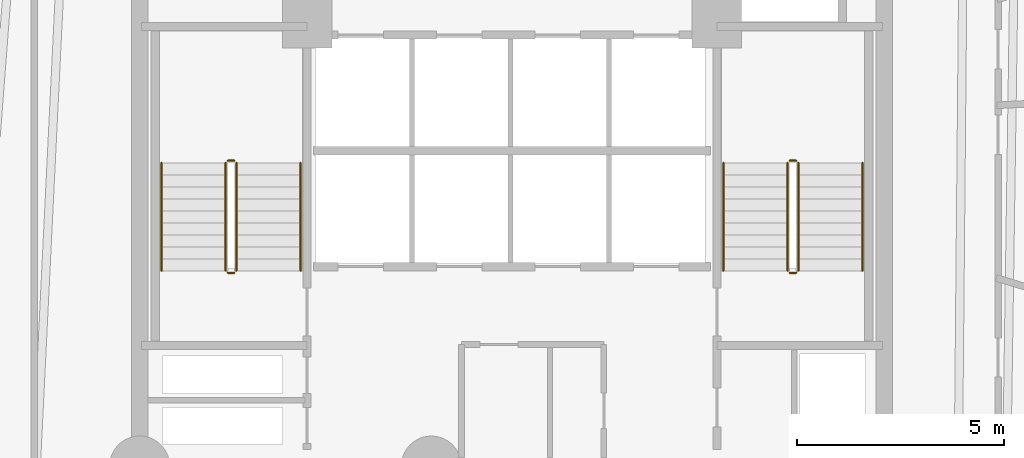
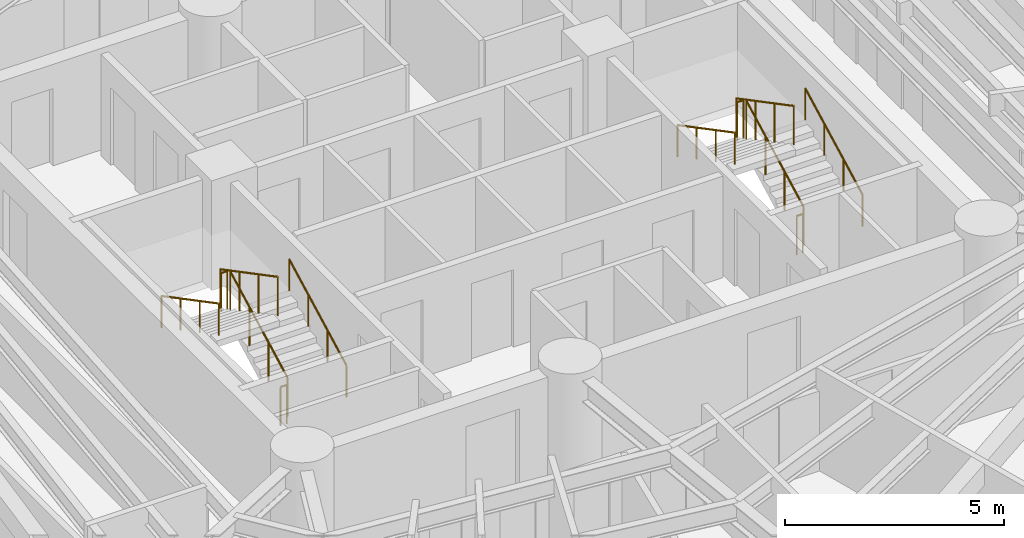
# One storey, part 8 of 8: 12 railings.
"""IFC4 building model written with IfcOpenShell, lengths in metres."""

from ifc_helpers import new_model, si_unit, direction, frame, origin, origin_2d, place, context, subcontext, project, spatial, circle, extrude, material, layer, layer_set, type_object, element, save


model = new_model("IFC4")

# Units and contexts
model_context = context("Model", 3, precision=1e-05, world=origin(), true_north=direction((0.0, 1.0)))
body_context = subcontext(model_context, "Body", "Model", "MODEL_VIEW")
ifc_project = project(units=[si_unit("LENGTHUNIT", "METRE"), si_unit("AREAUNIT", "SQUARE_METRE"), si_unit("VOLUMEUNIT", "CUBIC_METRE"), si_unit("PLANEANGLEUNIT", "RADIAN"), si_unit("MASSUNIT", "GRAM", prefix="KILO")], contexts=[model_context])

# Site, building, storey
site_placement = place(None, origin())
site = spatial("IfcSite", under=ifc_project, at=site_placement, CompositionType="ELEMENT")
building_placement = place(site_placement, origin())
building = spatial("IfcBuilding", under=site, at=building_placement, Name="Karkom Vertical University and Central Library", CompositionType="ELEMENT")
storey_placement = place(building_placement, frame((0.0, 0.0, 102.300048828125)))
storey = spatial("IfcBuildingStorey", under=building, at=storey_placement, Name="L27", CompositionType="ELEMENT", Elevation=102.300048828125)

# Railings
ifc_material_1 = material(Name="Painted galvanised steel balustrade", Category="steel")
ifc_layer_1 = layer(ifc_material_1, 0.06005859375)
ifc_layer_set_1 = layer_set([ifc_layer_1], Name="Painted galvanised steel balustrade")
railing_type_1 = type_object("IfcRailingType", Name="INT-RL-GUARD1100", PredefinedType="GUARDRAIL", material=ifc_layer_set_1)
railing_1_placement = place(storey_placement, frame((21.840087890625, 23.02001953125, 0.15234375)))
element("IfcRailing", 1, at=railing_1_placement, inside=storey, type_object=railing_type_1, Name="Level 27 ST-1 stair guard 1", PredefinedType="GUARDRAIL", context=body_context, shape_type="SweptSolid", body=[
    extrude(circle(Radius=0.02392578125, at=origin_2d()), frame((0.0, 0.0, 1.076171875), z_axis=(0.0, 0.885065446896, 0.46546659892), x_axis=(-1.0, 0.0, 0.0)), (0.0, 0.0, 1.0), 2.94873046875),
    extrude(circle(Radius=0.02099609375, at=origin_2d()), origin(), (0.0, 0.0, 1.0), 1.052001953125),
    extrude(circle(Radius=0.02099609375, at=origin_2d()), frame((0.0, 0.869873046875, 0.45751953125)), (0.0, 0.0, 1.0), 1.052001953125),
    extrude(circle(Radius=0.02099609375, at=origin_2d()), frame((0.0, 1.739990234375, 0.9150390625)), (0.0, 0.0, 1.0), 1.052001953125),
    extrude(circle(Radius=0.02099609375, at=origin_2d()), frame((0.0, 2.60986328125, 1.37255859375)), (0.0, 0.0, 1.0), 1.052001953125),
])
railing_2_placement = place(storey_placement, frame((21.7900390625, 25.679931640625, 1.52490234375)))
element("IfcRailing", 2, at=railing_2_placement, inside=storey, type_object=railing_type_1, Name="Level 27 ST-1 stair guard 2", PredefinedType="GUARDRAIL", context=body_context, shape_type="SweptSolid", body=[
    extrude(circle(Radius=0.02392578125, at=origin_2d()), frame((0.0, 0.0, 1.076171875), z_axis=(-1.0, 0.0, 0.0), x_axis=(0.0, -1.0, 0.0)), (0.0, 0.0, 1.0), 0.16015625),
    extrude(circle(Radius=0.02099609375, at=origin_2d()), origin(), (0.0, 0.0, 1.0), 1.052001953125),
    extrude(circle(Radius=0.02099609375, at=origin_2d()), frame((-0.16015625, 0.0, 0.0)), (0.0, 0.0, 1.0), 1.052001953125),
])
railing_3_placement = place(storey_placement, frame((21.580078125, 25.6298828125, 1.677490234375)))
element("IfcRailing", 3, at=railing_3_placement, inside=storey, type_object=railing_type_1, Name="Level 27 ST-1 stair guard 3", PredefinedType="GUARDRAIL", context=body_context, shape_type="SweptSolid", body=[
    extrude(circle(Radius=0.02392578125, at=origin_2d()), frame((0.0, 0.0, 1.076171875), z_axis=(0.0, -0.885065446896, 0.46546659892), x_axis=(1.0, 0.0, 0.0)), (0.0, 0.0, 1.0), 2.94873046875),
    extrude(circle(Radius=0.02099609375, at=origin_2d()), origin(), (0.0, 0.0, 1.0), 1.052001953125),
    extrude(circle(Radius=0.02099609375, at=origin_2d()), frame((0.0, -0.869873046875, 0.45751953125)), (0.0, 0.0, 1.0), 1.052001953125),
    extrude(circle(Radius=0.02099609375, at=origin_2d()), frame((0.0, -1.739990234375, 0.9150390625)), (0.0, 0.0, 1.0), 1.052001953125),
    extrude(circle(Radius=0.02099609375, at=origin_2d()), frame((0.0, -2.60986328125, 1.37255859375)), (0.0, 0.0, 1.0), 1.052001953125),
])
railing_4_placement = place(storey_placement, frame((21.7900390625, 22.969970703125, 0.0)))
element("IfcRailing", 4, at=railing_4_placement, inside=storey, type_object=railing_type_1, Name="Level 27 ST-1 stair guard 4", PredefinedType="GUARDRAIL", context=body_context, shape_type="SweptSolid", body=[
    extrude(circle(Radius=0.02392578125, at=origin_2d()), frame((0.0, 0.0, 1.076171875), z_axis=(-1.0, 0.0, 0.0), x_axis=(0.0, -1.0, 0.0)), (0.0, 0.0, 1.0), 0.16015625),
    extrude(circle(Radius=0.02099609375, at=origin_2d()), origin(), (0.0, 0.0, 1.0), 1.052001953125),
    extrude(circle(Radius=0.02099609375, at=origin_2d()), frame((-0.16015625, 0.0, 0.0)), (0.0, 0.0, 1.0), 1.052001953125),
])
railing_5_placement = place(storey_placement, frame((35.419921875, 23.02001953125, 0.15234375)))
element("IfcRailing", 5, at=railing_5_placement, inside=storey, type_object=railing_type_1, Name="Level 27 ST-2 stair guard 1", PredefinedType="GUARDRAIL", context=body_context, shape_type="SweptSolid", body=[
    extrude(circle(Radius=0.02392578125, at=origin_2d()), frame((0.0, 0.0, 1.076171875), z_axis=(0.0, 0.885065446896, 0.46546659892), x_axis=(-1.0, 0.0, 0.0)), (0.0, 0.0, 1.0), 2.94873046875),
    extrude(circle(Radius=0.02099609375, at=origin_2d()), origin(), (0.0, 0.0, 1.0), 1.052001953125),
    extrude(circle(Radius=0.02099609375, at=origin_2d()), frame((0.0, 0.869873046875, 0.45751953125)), (0.0, 0.0, 1.0), 1.052001953125),
    extrude(circle(Radius=0.02099609375, at=origin_2d()), frame((0.0, 1.739990234375, 0.9150390625)), (0.0, 0.0, 1.0), 1.052001953125),
    extrude(circle(Radius=0.02099609375, at=origin_2d()), frame((0.0, 2.60986328125, 1.37255859375)), (0.0, 0.0, 1.0), 1.052001953125),
])
railing_6_placement = place(storey_placement, frame((35.3701171875, 25.679931640625, 1.52490234375)))
element("IfcRailing", 6, at=railing_6_placement, inside=storey, type_object=railing_type_1, Name="Level 27 ST-2 stair guard 2", PredefinedType="GUARDRAIL", context=body_context, shape_type="SweptSolid", body=[
    extrude(circle(Radius=0.02392578125, at=origin_2d()), frame((0.0, 0.0, 1.076171875), z_axis=(-1.0, 0.0, 0.0), x_axis=(0.0, -1.0, 0.0)), (0.0, 0.0, 1.0), 0.16015625),
    extrude(circle(Radius=0.02099609375, at=origin_2d()), origin(), (0.0, 0.0, 1.0), 1.052001953125),
    extrude(circle(Radius=0.02099609375, at=origin_2d()), frame((-0.16015625, 0.0, 0.0)), (0.0, 0.0, 1.0), 1.052001953125),
])
railing_7_placement = place(storey_placement, frame((35.159912109375, 25.6298828125, 1.677490234375)))
element("IfcRailing", 7, at=railing_7_placement, inside=storey, type_object=railing_type_1, Name="Level 27 ST-2 stair guard 3", PredefinedType="GUARDRAIL", context=body_context, shape_type="SweptSolid", body=[
    extrude(circle(Radius=0.02392578125, at=origin_2d()), frame((0.0, 0.0, 1.076171875), z_axis=(0.0, -0.885065446896, 0.46546659892), x_axis=(1.0, 0.0, 0.0)), (0.0, 0.0, 1.0), 2.94873046875),
    extrude(circle(Radius=0.02099609375, at=origin_2d()), origin(), (0.0, 0.0, 1.0), 1.052001953125),
    extrude(circle(Radius=0.02099609375, at=origin_2d()), frame((0.0, -0.869873046875, 0.45751953125)), (0.0, 0.0, 1.0), 1.052001953125),
    extrude(circle(Radius=0.02099609375, at=origin_2d()), frame((0.0, -1.739990234375, 0.9150390625)), (0.0, 0.0, 1.0), 1.052001953125),
    extrude(circle(Radius=0.02099609375, at=origin_2d()), frame((0.0, -2.60986328125, 1.37255859375)), (0.0, 0.0, 1.0), 1.052001953125),
])
railing_8_placement = place(storey_placement, frame((35.3701171875, 22.969970703125, 0.0)))
element("IfcRailing", 8, at=railing_8_placement, inside=storey, type_object=railing_type_1, Name="Level 27 ST-2 stair guard 4", PredefinedType="GUARDRAIL", context=body_context, shape_type="SweptSolid", body=[
    extrude(circle(Radius=0.02392578125, at=origin_2d()), frame((0.0, 0.0, 1.076171875), z_axis=(-1.0, 0.0, 0.0), x_axis=(0.0, -1.0, 0.0)), (0.0, 0.0, 1.0), 0.16015625),
    extrude(circle(Radius=0.02099609375, at=origin_2d()), origin(), (0.0, 0.0, 1.0), 1.052001953125),
    extrude(circle(Radius=0.02099609375, at=origin_2d()), frame((-0.16015625, 0.0, 0.0)), (0.0, 0.0, 1.0), 1.052001953125),
])
ifc_material_2 = material(Name="Brushed stainless-steel tubular handrail", Category="steel")
ifc_layer_2 = layer(ifc_material_2, 0.048095703125)
ifc_layer_set_2 = layer_set([ifc_layer_2], Name="Brushed stainless-steel tubular handrail")
railing_type_2 = type_object("IfcRailingType", Name="INT-RL-HAND920", PredefinedType="HANDRAIL", material=ifc_layer_set_2)
railing_9_placement = place(storey_placement, frame((23.389892578125, 23.02001953125, 0.15234375)))
element("IfcRailing", 9, at=railing_9_placement, inside=storey, type_object=railing_type_2, Name="Level 27 ST-1 stair handrail 1", PredefinedType="HANDRAIL", context=body_context, shape_type="SweptSolid", body=[
    extrude(circle(Radius=0.02392578125, at=origin_2d()), frame((0.0, 0.0, 0.8759765625), z_axis=(0.0, 0.885065446896, 0.46546659892), x_axis=(-1.0, 0.0, 0.0)), (0.0, 0.0, 1.0), 2.94873046875),
    extrude(circle(Radius=0.02099609375, at=origin_2d()), origin(), (0.0, 0.0, 1.0), 0.851806640625),
    extrude(circle(Radius=0.02099609375, at=origin_2d()), frame((0.0, 0.869873046875, 0.45751953125)), (0.0, 0.0, 1.0), 0.851806640625),
    extrude(circle(Radius=0.02099609375, at=origin_2d()), frame((0.0, 1.739990234375, 0.9150390625)), (0.0, 0.0, 1.0), 0.851806640625),
    extrude(circle(Radius=0.02099609375, at=origin_2d()), frame((0.0, 2.60986328125, 1.37255859375)), (0.0, 0.0, 1.0), 0.851806640625),
])
railing_10_placement = place(storey_placement, frame((20.030029296875, 25.6298828125, 1.677490234375)))
element("IfcRailing", 10, at=railing_10_placement, inside=storey, type_object=railing_type_2, Name="Level 27 ST-1 stair handrail 2", PredefinedType="HANDRAIL", context=body_context, shape_type="SweptSolid", body=[
    extrude(circle(Radius=0.02392578125, at=origin_2d()), frame((0.0, 0.0, 0.8759765625), z_axis=(0.0, -0.885065446896, 0.46546659892), x_axis=(1.0, 0.0, 0.0)), (0.0, 0.0, 1.0), 2.94873046875),
    extrude(circle(Radius=0.02099609375, at=origin_2d()), origin(), (0.0, 0.0, 1.0), 0.851806640625),
    extrude(circle(Radius=0.02099609375, at=origin_2d()), frame((0.0, -0.869873046875, 0.45751953125)), (0.0, 0.0, 1.0), 0.851806640625),
    extrude(circle(Radius=0.02099609375, at=origin_2d()), frame((0.0, -1.739990234375, 0.9150390625)), (0.0, 0.0, 1.0), 0.851806640625),
    extrude(circle(Radius=0.02099609375, at=origin_2d()), frame((0.0, -2.60986328125, 1.37255859375)), (0.0, 0.0, 1.0), 0.851806640625),
])
railing_11_placement = place(storey_placement, frame((36.969970703125, 23.02001953125, 0.15234375)))
element("IfcRailing", 11, at=railing_11_placement, inside=storey, type_object=railing_type_2, Name="Level 27 ST-2 stair handrail 1", PredefinedType="HANDRAIL", context=body_context, shape_type="SweptSolid", body=[
    extrude(circle(Radius=0.02392578125, at=origin_2d()), frame((0.0, 0.0, 0.8759765625), z_axis=(0.0, 0.885065446896, 0.46546659892), x_axis=(-1.0, 0.0, 0.0)), (0.0, 0.0, 1.0), 2.94873046875),
    extrude(circle(Radius=0.02099609375, at=origin_2d()), origin(), (0.0, 0.0, 1.0), 0.851806640625),
    extrude(circle(Radius=0.02099609375, at=origin_2d()), frame((0.0, 0.869873046875, 0.45751953125)), (0.0, 0.0, 1.0), 0.851806640625),
    extrude(circle(Radius=0.02099609375, at=origin_2d()), frame((0.0, 1.739990234375, 0.9150390625)), (0.0, 0.0, 1.0), 0.851806640625),
    extrude(circle(Radius=0.02099609375, at=origin_2d()), frame((0.0, 2.60986328125, 1.37255859375)), (0.0, 0.0, 1.0), 0.851806640625),
])
railing_12_placement = place(storey_placement, frame((33.610107421875, 25.6298828125, 1.677490234375)))
element("IfcRailing", 12, at=railing_12_placement, inside=storey, type_object=railing_type_2, Name="Level 27 ST-2 stair handrail 2", PredefinedType="HANDRAIL", context=body_context, shape_type="SweptSolid", body=[
    extrude(circle(Radius=0.02392578125, at=origin_2d()), frame((0.0, 0.0, 0.8759765625), z_axis=(0.0, -0.885065446896, 0.46546659892), x_axis=(1.0, 0.0, 0.0)), (0.0, 0.0, 1.0), 2.94873046875),
    extrude(circle(Radius=0.02099609375, at=origin_2d()), origin(), (0.0, 0.0, 1.0), 0.851806640625),
    extrude(circle(Radius=0.02099609375, at=origin_2d()), frame((0.0, -0.869873046875, 0.45751953125)), (0.0, 0.0, 1.0), 0.851806640625),
    extrude(circle(Radius=0.02099609375, at=origin_2d()), frame((0.0, -1.739990234375, 0.9150390625)), (0.0, 0.0, 1.0), 0.851806640625),
    extrude(circle(Radius=0.02099609375, at=origin_2d()), frame((0.0, -2.60986328125, 1.37255859375)), (0.0, 0.0, 1.0), 0.851806640625),
])

save(model, "model.ifc")
